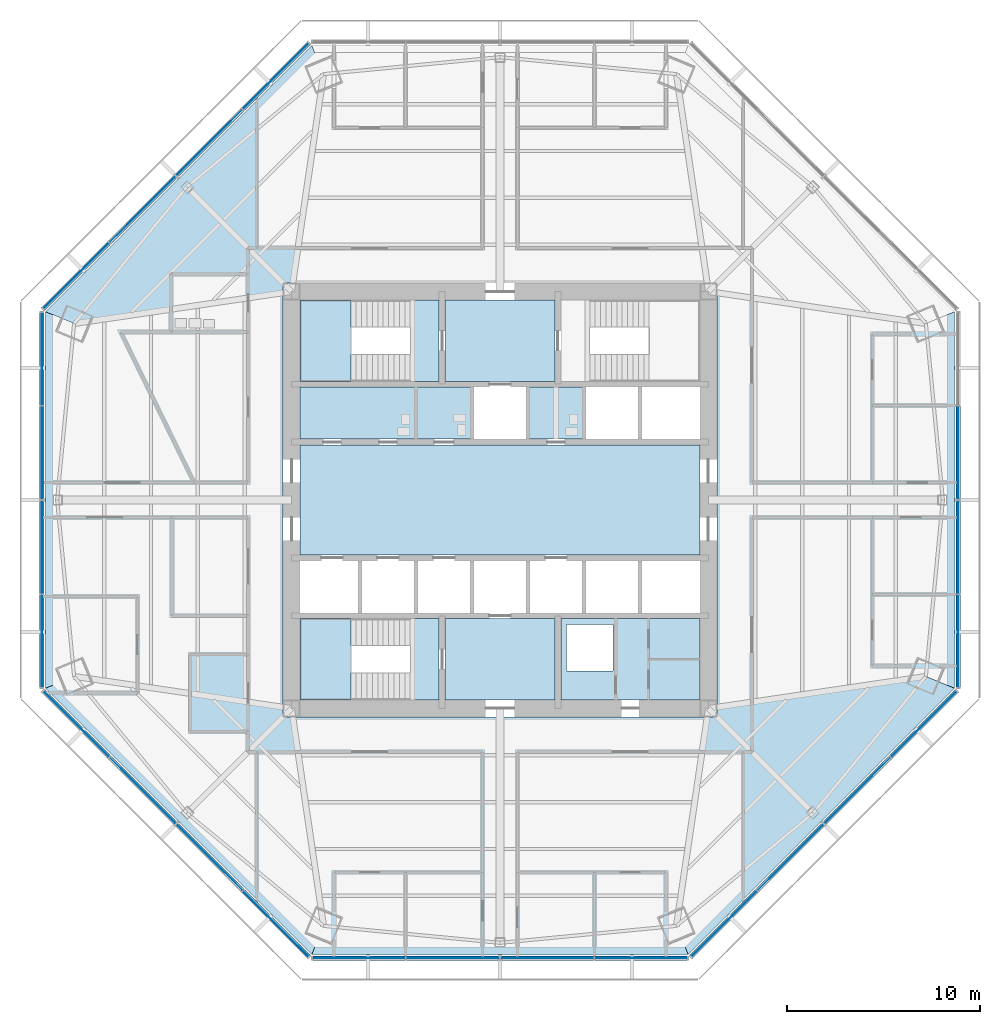
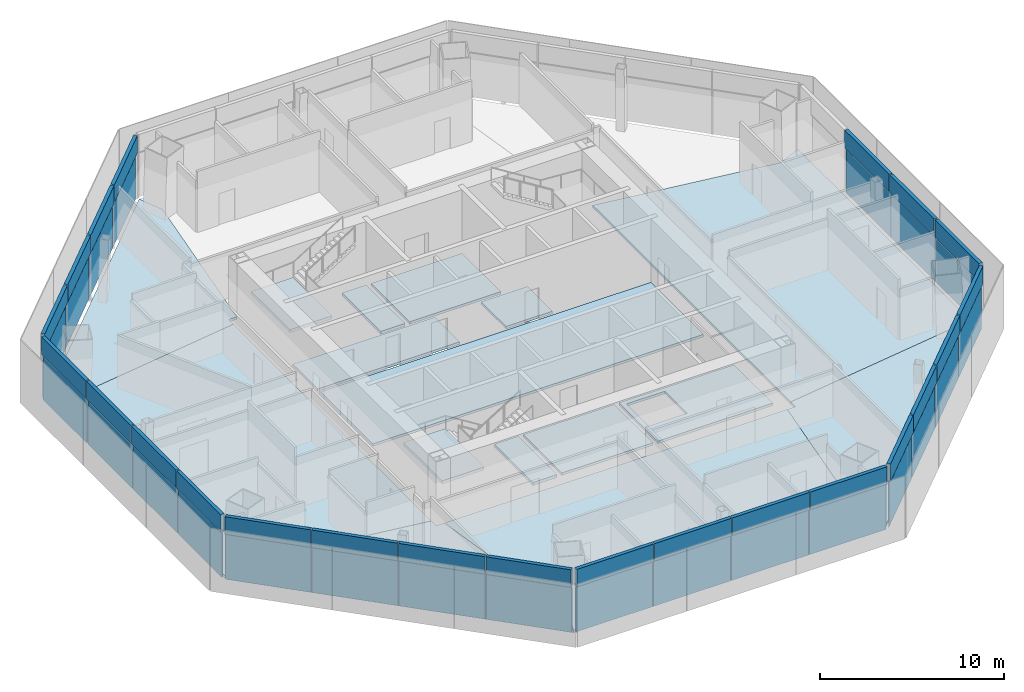
# One storey, part 7 of 15: 46 plates, 16 slabs, 8 elements without a shape of their own.
"""IFC4 building model written with IfcOpenShell, lengths in metres."""

from ifc_helpers import new_model, si_unit, direction, frame, origin, origin_2d, place, context, subcontext, project, spatial, polyline, rectangle, outline, extrude, source, transform, mapped, material, layer, layer_set, type_object, type_shapes, element, aggregate, save


model = new_model("IFC4")

# Units and contexts
model_context = context("Model", 3, precision=1e-05, world=origin(), true_north=direction((0.0, 1.0)))
body_context = subcontext(model_context, "Body", "Model", "MODEL_VIEW")
ifc_project = project(units=[si_unit("LENGTHUNIT", "METRE"), si_unit("AREAUNIT", "SQUARE_METRE"), si_unit("VOLUMEUNIT", "CUBIC_METRE"), si_unit("PLANEANGLEUNIT", "RADIAN"), si_unit("MASSUNIT", "GRAM", prefix="KILO")], contexts=[model_context])

# Site, building, storey
site_placement = place(None, origin())
site = spatial("IfcSite", under=ifc_project, at=site_placement, CompositionType="ELEMENT")
building_placement = place(site_placement, origin())
building = spatial("IfcBuilding", under=site, at=building_placement, Name="Mashrafa Tower", CompositionType="ELEMENT")
storey_placement = place(building_placement, frame((0.0, 0.0, 151.199951171875)))
storey = spatial("IfcBuildingStorey", under=building, at=storey_placement, Name="L34", CompositionType="ELEMENT", Elevation=151.199951171875)

# Slabs
ifc_material_1 = material(Name="Concrete C35/45", Category="concrete")
ifc_layer_1 = layer(ifc_material_1, 0.1650390625)
ifc_layer_set_1 = layer_set([ifc_layer_1], Name="Floor slab 165")
slab_type_1 = type_object("IfcSlabType", Name="Floor slab 165", PredefinedType="FLOOR", material=ifc_layer_set_1)
slab_1_placement = place(storey_placement, frame((0.0, 0.0, -0.1650390625)))
element("IfcSlab", 1, at=slab_1_placement, inside=storey, type_object=slab_type_1, Name="Floor slab L34 east bay", PredefinedType="FLOOR", context=body_context, shape_type="SweptSolid", body=[
    extrude(outline(polyline([(23.53759765625, 9.74951171875), (23.53759765625, -9.74951171875), (23.537353515625, -9.74951171875), (22.06396484375, -9.13916015625), (11.25, -10.733642578125), (11.25, 10.733642578125), (22.06396484375, 9.13916015625), (23.537353515625, 9.74951171875), (23.53759765625, 9.74951171875)])), origin(), (0.0, 0.0, 1.0), 0.1650390625),
])
slab_2_placement = place(storey_placement, frame((0.0, 0.0, -0.1650390625)))
element("IfcSlab", 2, at=slab_2_placement, inside=storey, type_object=slab_type_1, Name="Floor slab L34 north-west bay", PredefinedType="FLOOR", context=body_context, shape_type="SweptSolid", body=[
    extrude(outline(polyline([(-9.74951171875, 23.537353515625), (-9.13916015625, 22.06396484375), (-10.733642578125, 11.25), (-11.25, 11.25), (-11.25, 10.733642578125), (-22.06396484375, 9.13916015625), (-23.537353515625, 9.74951171875), (-9.74951171875, 23.537353515625)])), origin(), (0.0, 0.0, 1.0), 0.1650390625),
])
slab_3_placement = place(storey_placement, frame((0.0, 0.0, -0.1650390625)))
element("IfcSlab", 3, at=slab_3_placement, inside=storey, type_object=slab_type_1, Name="Floor slab L34 west bay", PredefinedType="FLOOR", context=body_context, shape_type="SweptSolid", body=[
    extrude(outline(polyline([(-23.53759765625, -9.74951171875), (-23.53759765625, 9.74951171875), (-23.537353515625, 9.74951171875), (-22.06396484375, 9.13916015625), (-11.25, 10.733642578125), (-11.25, -10.733642578125), (-22.06396484375, -9.13916015625), (-23.537353515625, -9.74951171875), (-23.53759765625, -9.74951171875)])), origin(), (0.0, 0.0, 1.0), 0.1650390625),
])
slab_4_placement = place(storey_placement, frame((0.0, 0.0, -0.1650390625)))
element("IfcSlab", 4, at=slab_4_placement, inside=storey, type_object=slab_type_1, Name="Floor slab L34 south-west bay", PredefinedType="FLOOR", context=body_context, shape_type="SweptSolid", body=[
    extrude(outline(polyline([(-23.537353515625, -9.74951171875), (-22.06396484375, -9.13916015625), (-11.25, -10.733642578125), (-11.25, -11.25), (-10.733642578125, -11.25), (-9.13916015625, -22.06396484375), (-9.74951171875, -23.537353515625), (-23.537353515625, -9.74951171875)])), origin(), (0.0, 0.0, 1.0), 0.1650390625),
])
slab_5_placement = place(storey_placement, frame((0.0, 0.0, -0.1650390625)))
element("IfcSlab", 5, at=slab_5_placement, inside=storey, type_object=slab_type_1, Name="Floor slab L34 south bay", PredefinedType="FLOOR", context=body_context, shape_type="SweptSolid", body=[
    extrude(outline(polyline([(-9.74951171875, -23.53759765625), (-9.74951171875, -23.537353515625), (-9.13916015625, -22.06396484375), (-10.733642578125, -11.25), (10.733642578125, -11.25), (9.13916015625, -22.06396484375), (9.74951171875, -23.537353515625), (9.74951171875, -23.53759765625), (-9.74951171875, -23.53759765625)])), origin(), (0.0, 0.0, 1.0), 0.1650390625),
])
slab_6_placement = place(storey_placement, frame((0.0, 0.0, -0.1650390625)))
element("IfcSlab", 6, at=slab_6_placement, inside=storey, type_object=slab_type_1, Name="Floor slab L34 south-east bay", PredefinedType="FLOOR", context=body_context, shape_type="SweptSolid", body=[
    extrude(outline(polyline([(9.74951171875, -23.537353515625), (9.13916015625, -22.06396484375), (10.733642578125, -11.25), (11.25, -11.25), (11.25, -10.733642578125), (22.06396484375, -9.13916015625), (23.537353515625, -9.74951171875), (9.74951171875, -23.537353515625)])), origin(), (0.0, 0.0, 1.0), 0.1650390625),
])
slab_7_placement = place(storey_placement, frame((0.0, 0.0, -0.1650390625)))
element("IfcSlab", 7, at=slab_7_placement, inside=storey, type_object=slab_type_1, Name="Core floor lift hall L34", PredefinedType="FLOOR", context=body_context, shape_type="SweptSolid", body=[
    extrude(outline(polyline([(-10.35009765625, 2.85009765625), (10.35009765625, 2.85009765625), (10.35009765625, -2.85009765625), (-10.35009765625, -2.85009765625), (-10.35009765625, 2.85009765625)])), origin(), (0.0, 0.0, 1.0), 0.1650390625),
])
slab_8_placement = place(storey_placement, frame((0.0, 0.0, -0.1650390625)))
element("IfcSlab", 8, at=slab_8_placement, inside=storey, type_object=slab_type_1, Name="Core floor riser and electrical band L34", PredefinedType="FLOOR", context=body_context, shape_type="SweptSolid", body=[
    extrude(outline(polyline([(10.35009765625, -6.14990234375), (10.35009765625, -10.35009765625), (3.14990234375, -10.35009765625), (3.14990234375, -6.14990234375), (10.35009765625, -6.14990234375)]), holes=[polyline([(3.449951171875, -8.85009765625), (5.85009765625, -8.85009765625), (5.85009765625, -6.449951171875), (3.449951171875, -6.449951171875), (3.449951171875, -8.85009765625)])]), origin(), (0.0, 0.0, 1.0), 0.1650390625),
])
slab_9_placement = place(storey_placement, frame((0.0, 0.0, -0.1650390625)))
element("IfcSlab", 9, at=slab_9_placement, inside=storey, type_object=slab_type_1, Name="Core floor lift cell L34", PredefinedType="FLOOR", context=body_context, shape_type="SweptSolid", body=[
    extrude(outline(polyline([(-1.449951171875, 3.14990234375), (-10.35009765625, 3.14990234375), (-10.35009765625, 5.85009765625), (-1.449951171875, 5.85009765625), (-1.449951171875, 3.14990234375)])), origin(), (0.0, 0.0, 1.0), 0.1650390625),
])
slab_10_placement = place(storey_placement, frame((0.0, 0.0, -0.1650390625)))
element("IfcSlab", 10, at=slab_10_placement, inside=storey, type_object=slab_type_1, Name="Core floor fire-fighting lobby north L34", PredefinedType="FLOOR", context=body_context, shape_type="SweptSolid", body=[
    extrude(outline(polyline([(-2.85009765625, 10.35009765625), (2.85009765625, 10.35009765625), (2.85009765625, 6.14990234375), (-2.85009765625, 6.14990234375), (-2.85009765625, 10.35009765625)])), origin(), (0.0, 0.0, 1.0), 0.1650390625),
])
slab_11_placement = place(storey_placement, frame((0.0, 0.0, -0.1650390625)))
element("IfcSlab", 11, at=slab_11_placement, inside=storey, type_object=slab_type_1, Name="Core floor fire-fighting lobby south L34", PredefinedType="FLOOR", context=body_context, shape_type="SweptSolid", body=[
    extrude(outline(polyline([(2.85009765625, -6.14990234375), (2.85009765625, -10.35009765625), (-2.85009765625, -10.35009765625), (-2.85009765625, -6.14990234375), (2.85009765625, -6.14990234375)])), origin(), (0.0, 0.0, 1.0), 0.1650390625),
])
slab_12_placement = place(storey_placement, frame((0.0, 0.0, -0.1650390625)))
element("IfcSlab", 12, at=slab_12_placement, inside=storey, type_object=slab_type_1, Name="Core floor lift cell L34", PredefinedType="FLOOR", context=body_context, shape_type="SweptSolid", body=[
    extrude(outline(polyline([(4.35009765625, 5.85009765625), (4.35009765625, 3.14990234375), (1.449951171875, 3.14990234375), (1.449951171875, 5.85009765625), (4.35009765625, 5.85009765625)])), origin(), (0.0, 0.0, 1.0), 0.1650390625),
])

# Stair, slabs
ifc_material_2 = material(Name="Exit stair 1400")
stair_type = type_object("IfcStairType", Name="Exit stair 1400", PredefinedType="HALF_TURN_STAIR", material=ifc_material_2)
stair_1_placement = place(storey_placement, origin())
stair_1 = element("IfcStair", 13, at=stair_1_placement, inside=storey, type_object=stair_type, Name="Stair S1 L34", PredefinedType="HALF_TURN_STAIR")
ifc_material_3 = material(Name="Concrete C32/40", Category="concrete")
ifc_layer_2 = layer(ifc_material_3, 0.199951171875)
ifc_layer_set_2 = layer_set([ifc_layer_2], Name="Stair landing 200")
slab_type_2 = type_object("IfcSlabType", Name="Stair landing 200", PredefinedType="LANDING", material=ifc_layer_set_2)
slab_13_placement = place(storey_placement, frame((0.0, 0.0, -0.199951171875)))
slab_13 = element("IfcSlab", 14, at=slab_13_placement, type_object=slab_type_2, Name="S1 landing 1", PredefinedType="LANDING", context=body_context, shape_type="SweptSolid", body=[
    extrude(outline(polyline([(-4.659912109375, 6.14990234375), (-3.14990234375, 6.14990234375), (-3.14990234375, 10.35009765625), (-4.659912109375, 10.35009765625), (-4.659912109375, 6.14990234375)])), origin(), (0.0, 0.0, 1.0), 0.199951171875),
])
slab_14_placement = place(storey_placement, frame((0.0, 0.0, 1.900146484375)))
slab_14 = element("IfcSlab", 15, at=slab_14_placement, type_object=slab_type_2, Name="S1 landing 2", PredefinedType="LANDING", context=body_context, shape_type="SweptSolid", body=[
    extrude(outline(polyline([(-10.35009765625, 6.14990234375), (-7.719970703125, 6.14990234375), (-7.719970703125, 10.35009765625), (-10.35009765625, 10.35009765625), (-10.35009765625, 6.14990234375)])), origin(), (0.0, 0.0, 1.0), 0.199951171875),
])
aggregate(stair_1, [slab_13, slab_14])

stair_2_placement = place(storey_placement, origin())
stair_2 = element("IfcStair", 16, at=stair_2_placement, inside=storey, type_object=stair_type, Name="Stair S3 L34", PredefinedType="HALF_TURN_STAIR")
slab_15_placement = place(storey_placement, frame((0.0, 0.0, -0.199951171875)))
slab_15 = element("IfcSlab", 17, at=slab_15_placement, type_object=slab_type_2, Name="S3 landing 1", PredefinedType="LANDING", context=body_context, shape_type="SweptSolid", body=[
    extrude(outline(polyline([(-4.659912109375, -10.35009765625), (-3.14990234375, -10.35009765625), (-3.14990234375, -6.14990234375), (-4.659912109375, -6.14990234375), (-4.659912109375, -10.35009765625)])), origin(), (0.0, 0.0, 1.0), 0.199951171875),
])
slab_16_placement = place(storey_placement, frame((0.0, 0.0, 1.900146484375)))
slab_16 = element("IfcSlab", 18, at=slab_16_placement, type_object=slab_type_2, Name="S3 landing 2", PredefinedType="LANDING", context=body_context, shape_type="SweptSolid", body=[
    extrude(outline(polyline([(-10.35009765625, -10.35009765625), (-7.719970703125, -10.35009765625), (-7.719970703125, -6.14990234375), (-10.35009765625, -6.14990234375), (-10.35009765625, -10.35009765625)])), origin(), (0.0, 0.0, 1.0), 0.199951171875),
])
aggregate(stair_2, [slab_15, slab_16])

# Curtain wall, plate
ifc_material_4 = material(Name="Unitised aluminium curtain wall", Category="aluminium")
curtain_wall_type = type_object("IfcCurtainWallType", Name="Office curtain wall, zone 2 CW-B 225 deep", PredefinedType="NOTDEFINED", material=ifc_material_4)
curtain_wall_1_placement = place(storey_placement, origin())
curtain_wall_1 = element("IfcCurtainWall", 19, at=curtain_wall_1_placement, inside=storey, type_object=curtain_wall_type, Name="Office curtain wall, zone 2 L34 east", PredefinedType="NOTDEFINED")
ifc_material_5 = material(Name="Insulated double glazing, low-e, neutral", Category="glass")
ifc_layer_3 = layer(ifc_material_5, 0.028076171875)
ifc_layer_set_3 = layer_set([ifc_layer_3], Name="Vision panel CW-B 28")
plate_type_1 = type_object("IfcPlateType", Name="Vision panel CW-B 28", PredefinedType="CURTAIN_PANEL", material=ifc_layer_set_3)
shared_shape_1 = source(origin(), body_context, "Body", "SweptSolid", [
    extrude(rectangle(XDim=4.790283203125, YDim=0.028076171875, at=origin_2d()), origin(), (0.0, 0.0, 1.0), 2.9599609375),
])
plate_1_placement = place(storey_placement, frame((23.737548828125, -7.315673828125, 0.0), z_axis=(0.0, 0.0, 1.0), x_axis=(0.0, 1.0, 0.0)))
plate_1 = element("IfcPlate", 20, at=plate_1_placement, type_object=plate_type_1, Name="CW-B vision panel 1", PredefinedType="CURTAIN_PANEL", context=body_context, shape_type="MappedRepresentation", body=[
    mapped(shared_shape_1, transform((0.0, 0.0, 0.0))),
])

# Curtain wall, plates
curtain_wall_2_placement = place(storey_placement, origin())
curtain_wall_2 = element("IfcCurtainWall", 21, at=curtain_wall_2_placement, inside=storey, type_object=curtain_wall_type, Name="Office curtain wall, zone 2 L34 north-west", PredefinedType="NOTDEFINED")
plate_2_placement = place(storey_placement, frame((-11.612060546875, 21.957763671875, 0.0), z_axis=(0.0, 0.0, 1.0), x_axis=(-0.707106781187, -0.707106781187, 0.0)))
plate_2 = element("IfcPlate", 22, at=plate_2_placement, type_object=plate_type_1, Name="CW-B vision panel 1", PredefinedType="CURTAIN_PANEL", context=body_context, shape_type="MappedRepresentation", body=[
    mapped(shared_shape_1, transform((0.0, 0.0, 0.0))),
])
plate_3_placement = place(storey_placement, frame((-21.957763671875, 11.612060546875, 0.0), z_axis=(0.0, 0.0, 1.0), x_axis=(-0.707106781187, -0.707106781187, 0.0)))
plate_3 = element("IfcPlate", 23, at=plate_3_placement, type_object=plate_type_1, Name="CW-B vision panel 4", PredefinedType="CURTAIN_PANEL", context=body_context, shape_type="MappedRepresentation", body=[
    mapped(shared_shape_1, transform((0.0, 0.0, 0.0))),
])

curtain_wall_3_placement = place(storey_placement, origin())
curtain_wall_3 = element("IfcCurtainWall", 24, at=curtain_wall_3_placement, inside=storey, type_object=curtain_wall_type, Name="Office curtain wall, zone 2 L34 west", PredefinedType="NOTDEFINED")
plate_4_placement = place(storey_placement, frame((-23.737548828125, 7.315673828125, 0.0), z_axis=(0.0, 0.0, 1.0), x_axis=(0.0, -1.0, 0.0)))
plate_4 = element("IfcPlate", 25, at=plate_4_placement, type_object=plate_type_1, Name="CW-B vision panel 1", PredefinedType="CURTAIN_PANEL", context=body_context, shape_type="MappedRepresentation", body=[
    mapped(shared_shape_1, transform((0.0, 0.0, 0.0))),
])
plate_5_placement = place(storey_placement, frame((-23.737548828125, -7.315673828125, 0.0), z_axis=(0.0, 0.0, 1.0), x_axis=(0.0, -1.0, 0.0)))
plate_5 = element("IfcPlate", 26, at=plate_5_placement, type_object=plate_type_1, Name="CW-B vision panel 4", PredefinedType="CURTAIN_PANEL", context=body_context, shape_type="MappedRepresentation", body=[
    mapped(shared_shape_1, transform((0.0, 0.0, 0.0))),
])

curtain_wall_4_placement = place(storey_placement, origin())
curtain_wall_4 = element("IfcCurtainWall", 27, at=curtain_wall_4_placement, inside=storey, type_object=curtain_wall_type, Name="Office curtain wall, zone 2 L34 south-west", PredefinedType="NOTDEFINED")
plate_6_placement = place(storey_placement, frame((-21.957763671875, -11.612060546875, 0.0), z_axis=(0.0, 0.0, 1.0), x_axis=(0.707106781187, -0.707106781187, 0.0)))
plate_6 = element("IfcPlate", 28, at=plate_6_placement, type_object=plate_type_1, Name="CW-B vision panel 1", PredefinedType="CURTAIN_PANEL", context=body_context, shape_type="MappedRepresentation", body=[
    mapped(shared_shape_1, transform((0.0, 0.0, 0.0))),
])
plate_7_placement = place(storey_placement, frame((-11.612060546875, -21.957763671875, 0.0), z_axis=(0.0, 0.0, 1.0), x_axis=(0.707106781187, -0.707106781187, 0.0)))
plate_7 = element("IfcPlate", 29, at=plate_7_placement, type_object=plate_type_1, Name="CW-B vision panel 4", PredefinedType="CURTAIN_PANEL", context=body_context, shape_type="MappedRepresentation", body=[
    mapped(shared_shape_1, transform((0.0, 0.0, 0.0))),
])

curtain_wall_5_placement = place(storey_placement, origin())
curtain_wall_5 = element("IfcCurtainWall", 30, at=curtain_wall_5_placement, inside=storey, type_object=curtain_wall_type, Name="Office curtain wall, zone 2 L34 south", PredefinedType="NOTDEFINED")
plate_8_placement = place(storey_placement, frame((-7.315673828125, -23.737548828125, 0.0), z_axis=(0.0, 0.0, 1.0), x_axis=(1.0, 0.0, 0.0)))
plate_8 = element("IfcPlate", 31, at=plate_8_placement, type_object=plate_type_1, Name="CW-B vision panel 1", PredefinedType="CURTAIN_PANEL", context=body_context, shape_type="MappedRepresentation", body=[
    mapped(shared_shape_1, transform((0.0, 0.0, 0.0))),
])
plate_9_placement = place(storey_placement, frame((7.315673828125, -23.737548828125, 0.0), z_axis=(0.0, 0.0, 1.0), x_axis=(1.0, 0.0, 0.0)))
plate_9 = element("IfcPlate", 32, at=plate_9_placement, type_object=plate_type_1, Name="CW-B vision panel 4", PredefinedType="CURTAIN_PANEL", context=body_context, shape_type="MappedRepresentation", body=[
    mapped(shared_shape_1, transform((0.0, 0.0, 0.0))),
])

curtain_wall_6_placement = place(storey_placement, origin())
curtain_wall_6 = element("IfcCurtainWall", 33, at=curtain_wall_6_placement, inside=storey, type_object=curtain_wall_type, Name="Office curtain wall, zone 2 L34 south-east", PredefinedType="NOTDEFINED")
plate_10_placement = place(storey_placement, frame((11.612060546875, -21.957763671875, 0.0), z_axis=(0.0, 0.0, 1.0), x_axis=(0.707106781187, 0.707106781187, 0.0)))
plate_10 = element("IfcPlate", 34, at=plate_10_placement, type_object=plate_type_1, Name="CW-B vision panel 1", PredefinedType="CURTAIN_PANEL", context=body_context, shape_type="MappedRepresentation", body=[
    mapped(shared_shape_1, transform((0.0, 0.0, 0.0))),
])
plate_11_placement = place(storey_placement, frame((21.957763671875, -11.612060546875, 0.0), z_axis=(0.0, 0.0, 1.0), x_axis=(0.707106781187, 0.707106781187, 0.0)))
plate_11 = element("IfcPlate", 35, at=plate_11_placement, type_object=plate_type_1, Name="CW-B vision panel 4", PredefinedType="CURTAIN_PANEL", context=body_context, shape_type="MappedRepresentation", body=[
    mapped(shared_shape_1, transform((0.0, 0.0, 0.0))),
])

# Plate
ifc_material_6 = material(Name="Insulated aluminium spandrel panel", Category="aluminium")
ifc_layer_4 = layer(ifc_material_6, 0.219970703125)
ifc_layer_set_4 = layer_set([ifc_layer_4], Name="Spandrel panel CW-B 220")
plate_type_2 = type_object("IfcPlateType", Name="Spandrel panel CW-B 220", PredefinedType="CURTAIN_PANEL", material=ifc_layer_set_4)
shared_shape_2 = source(origin(), body_context, "Body", "SweptSolid", [
    extrude(rectangle(XDim=4.790283203125, YDim=0.219970703125, at=origin_2d()), origin(), (0.0, 0.0, 1.0), 1.159912109375),
])
plate_12_placement = place(storey_placement, frame((23.737548828125, -7.315673828125, 3.0400390625), z_axis=(0.0, 0.0, 1.0), x_axis=(0.0, 1.0, 0.0)))
plate_12 = element("IfcPlate", 36, at=plate_12_placement, type_object=plate_type_2, Name="CW-B spandrel panel 1", PredefinedType="CURTAIN_PANEL", context=body_context, shape_type="MappedRepresentation", body=[
    mapped(shared_shape_2, transform((0.0, 0.0, 0.0))),
])

plate_13_placement = place(storey_placement, frame((-11.612060546875, 21.957763671875, 3.0400390625), z_axis=(0.0, 0.0, 1.0), x_axis=(-0.707106781187, -0.707106781187, 0.0)))
plate_13 = element("IfcPlate", 37, at=plate_13_placement, type_object=plate_type_2, Name="CW-B spandrel panel 1", PredefinedType="CURTAIN_PANEL", context=body_context, shape_type="MappedRepresentation", body=[
    mapped(shared_shape_2, transform((0.0, 0.0, 0.0))),
])

plate_14_placement = place(storey_placement, frame((-21.957763671875, 11.612060546875, 3.0400390625), z_axis=(0.0, 0.0, 1.0), x_axis=(-0.707106781187, -0.707106781187, 0.0)))
plate_14 = element("IfcPlate", 38, at=plate_14_placement, type_object=plate_type_2, Name="CW-B spandrel panel 4", PredefinedType="CURTAIN_PANEL", context=body_context, shape_type="MappedRepresentation", body=[
    mapped(shared_shape_2, transform((0.0, 0.0, 0.0))),
])

plate_15_placement = place(storey_placement, frame((-23.737548828125, 7.315673828125, 3.0400390625), z_axis=(0.0, 0.0, 1.0), x_axis=(0.0, -1.0, 0.0)))
plate_15 = element("IfcPlate", 39, at=plate_15_placement, type_object=plate_type_2, Name="CW-B spandrel panel 1", PredefinedType="CURTAIN_PANEL", context=body_context, shape_type="MappedRepresentation", body=[
    mapped(shared_shape_2, transform((0.0, 0.0, 0.0))),
])

plate_16_placement = place(storey_placement, frame((-23.737548828125, -7.315673828125, 3.0400390625), z_axis=(0.0, 0.0, 1.0), x_axis=(0.0, -1.0, 0.0)))
plate_16 = element("IfcPlate", 40, at=plate_16_placement, type_object=plate_type_2, Name="CW-B spandrel panel 4", PredefinedType="CURTAIN_PANEL", context=body_context, shape_type="MappedRepresentation", body=[
    mapped(shared_shape_2, transform((0.0, 0.0, 0.0))),
])

plate_17_placement = place(storey_placement, frame((-21.957763671875, -11.612060546875, 3.0400390625), z_axis=(0.0, 0.0, 1.0), x_axis=(0.707106781187, -0.707106781187, 0.0)))
plate_17 = element("IfcPlate", 41, at=plate_17_placement, type_object=plate_type_2, Name="CW-B spandrel panel 1", PredefinedType="CURTAIN_PANEL", context=body_context, shape_type="MappedRepresentation", body=[
    mapped(shared_shape_2, transform((0.0, 0.0, 0.0))),
])

plate_18_placement = place(storey_placement, frame((-11.612060546875, -21.957763671875, 3.0400390625), z_axis=(0.0, 0.0, 1.0), x_axis=(0.707106781187, -0.707106781187, 0.0)))
plate_18 = element("IfcPlate", 42, at=plate_18_placement, type_object=plate_type_2, Name="CW-B spandrel panel 4", PredefinedType="CURTAIN_PANEL", context=body_context, shape_type="MappedRepresentation", body=[
    mapped(shared_shape_2, transform((0.0, 0.0, 0.0))),
])

plate_19_placement = place(storey_placement, frame((-7.315673828125, -23.737548828125, 3.0400390625), z_axis=(0.0, 0.0, 1.0), x_axis=(1.0, 0.0, 0.0)))
plate_19 = element("IfcPlate", 43, at=plate_19_placement, type_object=plate_type_2, Name="CW-B spandrel panel 1", PredefinedType="CURTAIN_PANEL", context=body_context, shape_type="MappedRepresentation", body=[
    mapped(shared_shape_2, transform((0.0, 0.0, 0.0))),
])

plate_20_placement = place(storey_placement, frame((7.315673828125, -23.737548828125, 3.0400390625), z_axis=(0.0, 0.0, 1.0), x_axis=(1.0, 0.0, 0.0)))
plate_20 = element("IfcPlate", 44, at=plate_20_placement, type_object=plate_type_2, Name="CW-B spandrel panel 4", PredefinedType="CURTAIN_PANEL", context=body_context, shape_type="MappedRepresentation", body=[
    mapped(shared_shape_2, transform((0.0, 0.0, 0.0))),
])

plate_21_placement = place(storey_placement, frame((11.612060546875, -21.957763671875, 3.0400390625), z_axis=(0.0, 0.0, 1.0), x_axis=(0.707106781187, 0.707106781187, 0.0)))
plate_21 = element("IfcPlate", 45, at=plate_21_placement, type_object=plate_type_2, Name="CW-B spandrel panel 1", PredefinedType="CURTAIN_PANEL", context=body_context, shape_type="MappedRepresentation", body=[
    mapped(shared_shape_2, transform((0.0, 0.0, 0.0))),
])

plate_22_placement = place(storey_placement, frame((21.957763671875, -11.612060546875, 3.0400390625), z_axis=(0.0, 0.0, 1.0), x_axis=(0.707106781187, 0.707106781187, 0.0)))
plate_22 = element("IfcPlate", 46, at=plate_22_placement, type_object=plate_type_2, Name="CW-B spandrel panel 4", PredefinedType="CURTAIN_PANEL", context=body_context, shape_type="MappedRepresentation", body=[
    mapped(shared_shape_2, transform((0.0, 0.0, 0.0))),
])

shared_shape_3 = source(origin(), body_context, "Body", "SweptSolid", [
    extrude(rectangle(XDim=4.822998046875, YDim=0.028076171875, at=origin_2d()), origin(), (0.0, 0.0, 1.0), 2.9599609375),
])
type_shapes(plate_type_1, [shared_shape_1, shared_shape_3])
plate_23_placement = place(storey_placement, frame((23.737548828125, -2.44384765625, 0.0), z_axis=(0.0, 0.0, 1.0), x_axis=(0.0, 1.0, 0.0)))
plate_23 = element("IfcPlate", 47, at=plate_23_placement, type_object=plate_type_1, Name="CW-B vision panel 2", PredefinedType="CURTAIN_PANEL", context=body_context, shape_type="MappedRepresentation", body=[
    mapped(shared_shape_3, transform((0.0, 0.0, 0.0))),
])

plate_24_placement = place(storey_placement, frame((23.737548828125, 2.44384765625, 0.0), z_axis=(0.0, 0.0, 1.0), x_axis=(0.0, 1.0, 0.0)))
plate_24 = element("IfcPlate", 48, at=plate_24_placement, type_object=plate_type_1, Name="CW-B vision panel 3", PredefinedType="CURTAIN_PANEL", context=body_context, shape_type="MappedRepresentation", body=[
    mapped(shared_shape_3, transform((0.0, 0.0, 0.0))),
])

plate_25_placement = place(storey_placement, frame((-15.056884765625, 18.51318359375, 0.0), z_axis=(0.0, 0.0, 1.0), x_axis=(-0.707106781187, -0.707106781187, 0.0)))
plate_25 = element("IfcPlate", 49, at=plate_25_placement, type_object=plate_type_1, Name="CW-B vision panel 2", PredefinedType="CURTAIN_PANEL", context=body_context, shape_type="MappedRepresentation", body=[
    mapped(shared_shape_3, transform((0.0, 0.0, 0.0))),
])

plate_26_placement = place(storey_placement, frame((-18.51318359375, 15.056884765625, 0.0), z_axis=(0.0, 0.0, 1.0), x_axis=(-0.707106781187, -0.707106781187, 0.0)))
plate_26 = element("IfcPlate", 50, at=plate_26_placement, type_object=plate_type_1, Name="CW-B vision panel 3", PredefinedType="CURTAIN_PANEL", context=body_context, shape_type="MappedRepresentation", body=[
    mapped(shared_shape_3, transform((0.0, 0.0, 0.0))),
])

plate_27_placement = place(storey_placement, frame((-23.737548828125, 2.44384765625, 0.0), z_axis=(0.0, 0.0, 1.0), x_axis=(0.0, -1.0, 0.0)))
plate_27 = element("IfcPlate", 51, at=plate_27_placement, type_object=plate_type_1, Name="CW-B vision panel 2", PredefinedType="CURTAIN_PANEL", context=body_context, shape_type="MappedRepresentation", body=[
    mapped(shared_shape_3, transform((0.0, 0.0, 0.0))),
])

plate_28_placement = place(storey_placement, frame((-23.737548828125, -2.44384765625, 0.0), z_axis=(0.0, 0.0, 1.0), x_axis=(0.0, -1.0, 0.0)))
plate_28 = element("IfcPlate", 52, at=plate_28_placement, type_object=plate_type_1, Name="CW-B vision panel 3", PredefinedType="CURTAIN_PANEL", context=body_context, shape_type="MappedRepresentation", body=[
    mapped(shared_shape_3, transform((0.0, 0.0, 0.0))),
])

plate_29_placement = place(storey_placement, frame((-18.51318359375, -15.056884765625, 0.0), z_axis=(0.0, 0.0, 1.0), x_axis=(0.707106781187, -0.707106781187, 0.0)))
plate_29 = element("IfcPlate", 53, at=plate_29_placement, type_object=plate_type_1, Name="CW-B vision panel 2", PredefinedType="CURTAIN_PANEL", context=body_context, shape_type="MappedRepresentation", body=[
    mapped(shared_shape_3, transform((0.0, 0.0, 0.0))),
])

plate_30_placement = place(storey_placement, frame((-15.056884765625, -18.51318359375, 0.0), z_axis=(0.0, 0.0, 1.0), x_axis=(0.707106781187, -0.707106781187, 0.0)))
plate_30 = element("IfcPlate", 54, at=plate_30_placement, type_object=plate_type_1, Name="CW-B vision panel 3", PredefinedType="CURTAIN_PANEL", context=body_context, shape_type="MappedRepresentation", body=[
    mapped(shared_shape_3, transform((0.0, 0.0, 0.0))),
])

plate_31_placement = place(storey_placement, frame((-2.44384765625, -23.737548828125, 0.0), z_axis=(0.0, 0.0, 1.0), x_axis=(1.0, 0.0, 0.0)))
plate_31 = element("IfcPlate", 55, at=plate_31_placement, type_object=plate_type_1, Name="CW-B vision panel 2", PredefinedType="CURTAIN_PANEL", context=body_context, shape_type="MappedRepresentation", body=[
    mapped(shared_shape_3, transform((0.0, 0.0, 0.0))),
])

plate_32_placement = place(storey_placement, frame((2.44384765625, -23.737548828125, 0.0), z_axis=(0.0, 0.0, 1.0), x_axis=(1.0, 0.0, 0.0)))
plate_32 = element("IfcPlate", 56, at=plate_32_placement, type_object=plate_type_1, Name="CW-B vision panel 3", PredefinedType="CURTAIN_PANEL", context=body_context, shape_type="MappedRepresentation", body=[
    mapped(shared_shape_3, transform((0.0, 0.0, 0.0))),
])

plate_33_placement = place(storey_placement, frame((15.056884765625, -18.51318359375, 0.0), z_axis=(0.0, 0.0, 1.0), x_axis=(0.707106781187, 0.707106781187, 0.0)))
plate_33 = element("IfcPlate", 57, at=plate_33_placement, type_object=plate_type_1, Name="CW-B vision panel 2", PredefinedType="CURTAIN_PANEL", context=body_context, shape_type="MappedRepresentation", body=[
    mapped(shared_shape_3, transform((0.0, 0.0, 0.0))),
])

plate_34_placement = place(storey_placement, frame((18.51318359375, -15.056884765625, 0.0), z_axis=(0.0, 0.0, 1.0), x_axis=(0.707106781187, 0.707106781187, 0.0)))
plate_34 = element("IfcPlate", 58, at=plate_34_placement, type_object=plate_type_1, Name="CW-B vision panel 3", PredefinedType="CURTAIN_PANEL", context=body_context, shape_type="MappedRepresentation", body=[
    mapped(shared_shape_3, transform((0.0, 0.0, 0.0))),
])

shared_shape_4 = source(origin(), body_context, "Body", "SweptSolid", [
    extrude(rectangle(XDim=4.822998046875, YDim=0.219970703125, at=origin_2d()), origin(), (0.0, 0.0, 1.0), 1.159912109375),
])
type_shapes(plate_type_2, [shared_shape_2, shared_shape_4])
plate_35_placement = place(storey_placement, frame((23.737548828125, -2.44384765625, 3.0400390625), z_axis=(0.0, 0.0, 1.0), x_axis=(0.0, 1.0, 0.0)))
plate_35 = element("IfcPlate", 59, at=plate_35_placement, type_object=plate_type_2, Name="CW-B spandrel panel 2", PredefinedType="CURTAIN_PANEL", context=body_context, shape_type="MappedRepresentation", body=[
    mapped(shared_shape_4, transform((0.0, 0.0, 0.0))),
])

plate_36_placement = place(storey_placement, frame((23.737548828125, 2.44384765625, 3.0400390625), z_axis=(0.0, 0.0, 1.0), x_axis=(0.0, 1.0, 0.0)))
plate_36 = element("IfcPlate", 60, at=plate_36_placement, type_object=plate_type_2, Name="CW-B spandrel panel 3", PredefinedType="CURTAIN_PANEL", context=body_context, shape_type="MappedRepresentation", body=[
    mapped(shared_shape_4, transform((0.0, 0.0, 0.0))),
])

aggregate(curtain_wall_1, [plate_1, plate_12, plate_23, plate_35, plate_24, plate_36])

plate_37_placement = place(storey_placement, frame((-15.056884765625, 18.51318359375, 3.0400390625), z_axis=(0.0, 0.0, 1.0), x_axis=(-0.707106781187, -0.707106781187, 0.0)))
plate_37 = element("IfcPlate", 61, at=plate_37_placement, type_object=plate_type_2, Name="CW-B spandrel panel 2", PredefinedType="CURTAIN_PANEL", context=body_context, shape_type="MappedRepresentation", body=[
    mapped(shared_shape_4, transform((0.0, 0.0, 0.0))),
])

plate_38_placement = place(storey_placement, frame((-18.51318359375, 15.056884765625, 3.0400390625), z_axis=(0.0, 0.0, 1.0), x_axis=(-0.707106781187, -0.707106781187, 0.0)))
plate_38 = element("IfcPlate", 62, at=plate_38_placement, type_object=plate_type_2, Name="CW-B spandrel panel 3", PredefinedType="CURTAIN_PANEL", context=body_context, shape_type="MappedRepresentation", body=[
    mapped(shared_shape_4, transform((0.0, 0.0, 0.0))),
])

aggregate(curtain_wall_2, [plate_2, plate_13, plate_25, plate_37, plate_26, plate_38, plate_3, plate_14])

plate_39_placement = place(storey_placement, frame((-23.737548828125, 2.44384765625, 3.0400390625), z_axis=(0.0, 0.0, 1.0), x_axis=(0.0, -1.0, 0.0)))
plate_39 = element("IfcPlate", 63, at=plate_39_placement, type_object=plate_type_2, Name="CW-B spandrel panel 2", PredefinedType="CURTAIN_PANEL", context=body_context, shape_type="MappedRepresentation", body=[
    mapped(shared_shape_4, transform((0.0, 0.0, 0.0))),
])

plate_40_placement = place(storey_placement, frame((-23.737548828125, -2.44384765625, 3.0400390625), z_axis=(0.0, 0.0, 1.0), x_axis=(0.0, -1.0, 0.0)))
plate_40 = element("IfcPlate", 64, at=plate_40_placement, type_object=plate_type_2, Name="CW-B spandrel panel 3", PredefinedType="CURTAIN_PANEL", context=body_context, shape_type="MappedRepresentation", body=[
    mapped(shared_shape_4, transform((0.0, 0.0, 0.0))),
])

aggregate(curtain_wall_3, [plate_4, plate_15, plate_27, plate_39, plate_28, plate_40, plate_5, plate_16])

plate_41_placement = place(storey_placement, frame((-18.51318359375, -15.056884765625, 3.0400390625), z_axis=(0.0, 0.0, 1.0), x_axis=(0.707106781187, -0.707106781187, 0.0)))
plate_41 = element("IfcPlate", 65, at=plate_41_placement, type_object=plate_type_2, Name="CW-B spandrel panel 2", PredefinedType="CURTAIN_PANEL", context=body_context, shape_type="MappedRepresentation", body=[
    mapped(shared_shape_4, transform((0.0, 0.0, 0.0))),
])

plate_42_placement = place(storey_placement, frame((-15.056884765625, -18.51318359375, 3.0400390625), z_axis=(0.0, 0.0, 1.0), x_axis=(0.707106781187, -0.707106781187, 0.0)))
plate_42 = element("IfcPlate", 66, at=plate_42_placement, type_object=plate_type_2, Name="CW-B spandrel panel 3", PredefinedType="CURTAIN_PANEL", context=body_context, shape_type="MappedRepresentation", body=[
    mapped(shared_shape_4, transform((0.0, 0.0, 0.0))),
])

aggregate(curtain_wall_4, [plate_6, plate_17, plate_29, plate_41, plate_30, plate_42, plate_7, plate_18])

plate_43_placement = place(storey_placement, frame((-2.44384765625, -23.737548828125, 3.0400390625), z_axis=(0.0, 0.0, 1.0), x_axis=(1.0, 0.0, 0.0)))
plate_43 = element("IfcPlate", 67, at=plate_43_placement, type_object=plate_type_2, Name="CW-B spandrel panel 2", PredefinedType="CURTAIN_PANEL", context=body_context, shape_type="MappedRepresentation", body=[
    mapped(shared_shape_4, transform((0.0, 0.0, 0.0))),
])

plate_44_placement = place(storey_placement, frame((2.44384765625, -23.737548828125, 3.0400390625), z_axis=(0.0, 0.0, 1.0), x_axis=(1.0, 0.0, 0.0)))
plate_44 = element("IfcPlate", 68, at=plate_44_placement, type_object=plate_type_2, Name="CW-B spandrel panel 3", PredefinedType="CURTAIN_PANEL", context=body_context, shape_type="MappedRepresentation", body=[
    mapped(shared_shape_4, transform((0.0, 0.0, 0.0))),
])

aggregate(curtain_wall_5, [plate_8, plate_19, plate_31, plate_43, plate_32, plate_44, plate_9, plate_20])

plate_45_placement = place(storey_placement, frame((15.056884765625, -18.51318359375, 3.0400390625), z_axis=(0.0, 0.0, 1.0), x_axis=(0.707106781187, 0.707106781187, 0.0)))
plate_45 = element("IfcPlate", 69, at=plate_45_placement, type_object=plate_type_2, Name="CW-B spandrel panel 2", PredefinedType="CURTAIN_PANEL", context=body_context, shape_type="MappedRepresentation", body=[
    mapped(shared_shape_4, transform((0.0, 0.0, 0.0))),
])

plate_46_placement = place(storey_placement, frame((18.51318359375, -15.056884765625, 3.0400390625), z_axis=(0.0, 0.0, 1.0), x_axis=(0.707106781187, 0.707106781187, 0.0)))
plate_46 = element("IfcPlate", 70, at=plate_46_placement, type_object=plate_type_2, Name="CW-B spandrel panel 3", PredefinedType="CURTAIN_PANEL", context=body_context, shape_type="MappedRepresentation", body=[
    mapped(shared_shape_4, transform((0.0, 0.0, 0.0))),
])

aggregate(curtain_wall_6, [plate_10, plate_21, plate_33, plate_45, plate_34, plate_46, plate_11, plate_22])

save(model, "model.ifc")
